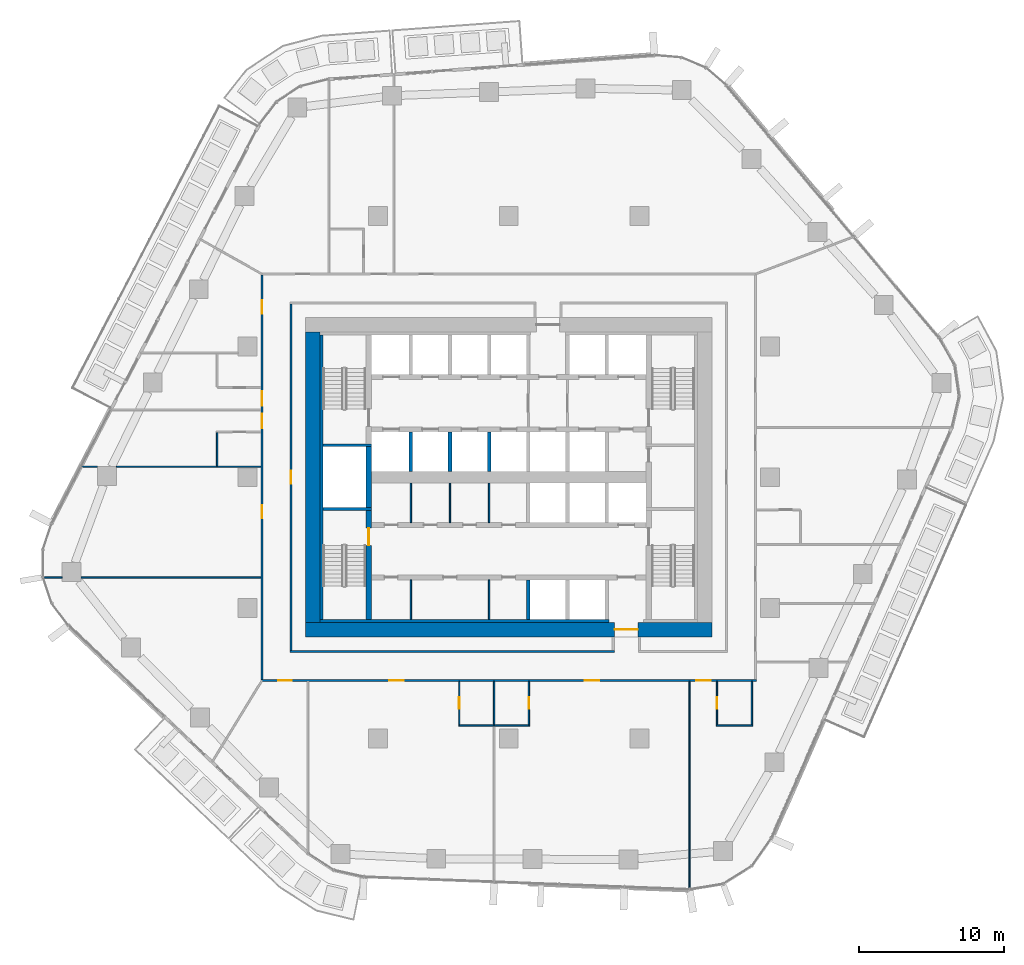
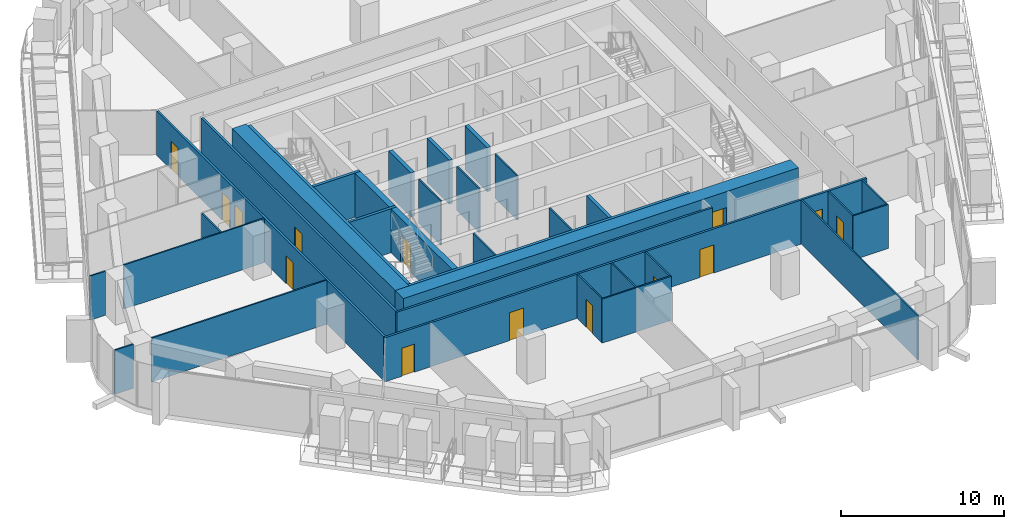
# One storey, part 12 of 23: 34 walls, 14 doors, 14 openings.
"""IFC4 building model written with IfcOpenShell, lengths in metres."""

from ifc_helpers import new_model, si_unit, direction, frame, frame_2d, origin, place, context, subcontext, project, spatial, rectangle, extrude, material, layer, layer_set, type_object, element, fill, save


model = new_model("IFC4")

# Units and contexts
model_context = context("Model", 3, precision=1e-05, world=origin(), true_north=direction((0.0, 1.0)))
body_context = subcontext(model_context, "Body", "Model", "MODEL_VIEW")
ifc_project = project(units=[si_unit("LENGTHUNIT", "METRE"), si_unit("AREAUNIT", "SQUARE_METRE"), si_unit("VOLUMEUNIT", "CUBIC_METRE"), si_unit("PLANEANGLEUNIT", "RADIAN"), si_unit("MASSUNIT", "GRAM", prefix="KILO")], contexts=[model_context])

# Site, building, storey
site_placement = place(None, origin())
site = spatial("IfcSite", under=ifc_project, at=site_placement, CompositionType="ELEMENT")
building_placement = place(site_placement, origin())
building = spatial("IfcBuilding", under=site, at=building_placement, Name="Dongbaek Canopy Tower", CompositionType="ELEMENT")
storey_placement = place(building_placement, frame((0.0, 0.0, 135.89990234375)))
storey = spatial("IfcBuildingStorey", under=building, at=storey_placement, Name="L30", CompositionType="ELEMENT", Elevation=135.89990234375)

# Wall, opening, door
ifc_material_1 = material(Name="Concrete C60/75", Category="concrete")
ifc_layer_1 = layer(ifc_material_1, 1.0)
ifc_layer_set_1 = layer_set([ifc_layer_1], Name="Core outer wall 1000 Concrete C60/75")
wall_type_1 = type_object("IfcWallType", Name="Core outer wall 1000 Concrete C60/75", PredefinedType="SHEAR", material=ifc_layer_set_1)
wall_1_placement = place(storey_placement, frame((14.0, -10.5, 0.0), z_axis=(0.0, 0.0, 1.0), x_axis=(-1.0, 0.0, 0.0)))
wall_1 = element("IfcWall", 1, at=wall_1_placement, inside=storey, type_object=wall_type_1, Name="Core wall", PredefinedType="SHEAR", context=body_context, shape_type="SweptSolid", body=[
    extrude(rectangle(XDim=28.0, YDim=1.0, at=frame_2d((14.0, 0.0))), origin(), (0.0, 0.0, 1.0), 3.300048828125),
])
opening_1_placement = place(wall_1_placement, frame((5.10009765625, 0.0, 0.0)))
opening_1 = element("IfcOpeningElement", 2, at=opening_1_placement, cuts=wall_1, Name="Opening L30-D042", PredefinedType="OPENING", context=body_context, shape_type="SweptSolid", body=[
    extrude(rectangle(XDim=1.60009765625, YDim=2.10009765625, at=frame_2d((0.800048828125, 1.050048828125))), frame((0.0, 0.510009765625, 0.0), z_axis=(0.0, -1.0, 0.0), x_axis=(1.0, 0.0, 0.0)), (0.0, 0.0, 1.0), 1.02001953125),
])
ifc_material_2 = material(Name="Steel", Category="steel")
door_type_1 = type_object("IfcDoorType", Name="Core exit door 1600 x 2100", OperationType="DOUBLE_DOOR_SINGLE_SWING", PredefinedType="DOOR", material=ifc_material_2)
door_1_placement = place(opening_1_placement, origin())
door_1 = element("IfcDoor", 3, at=door_1_placement, inside=storey, type_object=door_type_1, Name="Core exit door", OperationType="DOUBLE_DOOR_SINGLE_SWING", OverallHeight=2.10009765625, OverallWidth=1.60009765625, PredefinedType="DOOR", context=body_context, shape_type="SweptSolid", body=[
    extrude(rectangle(XDim=1.60009765625, YDim=2.10009765625, at=frame_2d((0.800048828125, 1.050048828125))), frame((0.0, 0.02490234375, 0.0), z_axis=(0.0, -1.0, 0.0), x_axis=(1.0, 0.0, 0.0)), (0.0, 0.0, 1.0), 0.050048828125),
])
fill(opening_1, door_1)

# Walls
wall_2_placement = place(storey_placement, frame((-13.5, -10.0, 0.0), z_axis=(0.0, 0.0, 1.0), x_axis=(0.0, 1.0, 0.0)))
element("IfcWall", 4, at=wall_2_placement, inside=storey, type_object=wall_type_1, Name="Core wall", PredefinedType="SHEAR", context=body_context, shape_type="SweptSolid", body=[
    extrude(rectangle(XDim=20.0, YDim=1.0, at=frame_2d((10.0, 0.0))), origin(), (0.0, 0.0, 1.0), 3.300048828125),
])
ifc_material_3 = material(Name="Concrete C60/75", Category="concrete")
ifc_layer_2 = layer(ifc_material_3, 0.199951171875)
ifc_layer_set_2 = layer_set([ifc_layer_2], Name="Core wall lining 200 Concrete C60/75")
wall_type_2 = type_object("IfcWallType", Name="Core wall lining 200 Concrete C60/75", PredefinedType="SHEAR", material=ifc_layer_set_2)
wall_3_placement = place(storey_placement, frame((6.89990234375, -9.89990234375, 0.0), z_axis=(0.0, 0.0, 1.0), x_axis=(-1.0, 0.0, 0.0)))
element("IfcWall", 5, at=wall_3_placement, inside=storey, type_object=wall_type_2, Name="Core wall lining", PredefinedType="SHEAR", context=body_context, shape_type="SweptSolid", body=[
    extrude(rectangle(XDim=19.89990234375, YDim=0.199951171875, at=frame_2d((9.949951171875, 0.0))), origin(), (0.0, 0.0, 1.0), 3.300048828125),
])
wall_4_placement = place(storey_placement, frame((-12.89990234375, -9.800048828125, 0.0), z_axis=(0.0, 0.0, 1.0), x_axis=(0.0, 1.0, 0.0)))
element("IfcWall", 6, at=wall_4_placement, inside=storey, type_object=wall_type_2, Name="Core wall lining", PredefinedType="SHEAR", context=body_context, shape_type="SweptSolid", body=[
    extrude(rectangle(XDim=19.60009765625, YDim=0.199951171875, at=frame_2d((9.800048828125, 0.0))), origin(), (0.0, 0.0, 1.0), 3.300048828125),
])

# Wall, openings, doors
ifc_material_4 = material(Name="Gypsum board partition, steel stud, 2 x 15 mm fire board", Category="steel")
ifc_layer_3 = layer(ifc_material_4, 0.14990234375)
ifc_layer_set_3 = layer_set([ifc_layer_3], Name="Fire-rated partition 150 gypsum board")
wall_type_3 = type_object("IfcWallType", Name="Fire-rated partition 150 gypsum board", PredefinedType="PARTITIONING", material=ifc_layer_set_3)
wall_5_placement = place(storey_placement, frame((17.074951171875, -14.0, 0.0), z_axis=(0.0, 0.0, 1.0), x_axis=(-1.0, 0.0, 0.0)))
wall_5 = element("IfcWall", 7, at=wall_5_placement, inside=storey, type_object=wall_type_3, Name="Corridor partition", PredefinedType="PARTITIONING", context=body_context, shape_type="SweptSolid", body=[
    extrude(rectangle(XDim=34.14990234375, YDim=0.14990234375, at=frame_2d((17.074951171875, 0.0))), origin(), (0.0, 0.0, 1.0), 3.300048828125),
])
opening_2_placement = place(wall_5_placement, frame((32.0458984375, 0.0, 0.0)))
opening_2 = element("IfcOpeningElement", 8, at=opening_2_placement, cuts=wall_5, Name="Opening L30-D002", PredefinedType="OPENING", context=body_context, shape_type="SweptSolid", body=[
    extrude(rectangle(XDim=0.89990234375, YDim=2.10009765625, at=frame_2d((0.449951171875, 1.050048828125))), frame((0.0, 0.0849609375, 0.0), z_axis=(0.0, -1.0, 0.0), x_axis=(1.0, 0.0, 0.0)), (0.0, 0.0, 1.0), 0.169921875),
])
opening_3_placement = place(wall_5_placement, frame((24.3203125, 0.0, 0.0)))
opening_3 = element("IfcOpeningElement", 9, at=opening_3_placement, cuts=wall_5, Name="Opening L30-D004", PredefinedType="OPENING", context=body_context, shape_type="SweptSolid", body=[
    extrude(rectangle(XDim=1.0, YDim=2.10009765625, at=frame_2d((0.5, 1.050048828125))), frame((0.0, 0.0849609375, 0.0), z_axis=(0.0, -1.0, 0.0), x_axis=(1.0, 0.0, 0.0)), (0.0, 0.0, 1.0), 0.169921875),
])
opening_4_placement = place(wall_5_placement, frame((10.847412109375, 0.0, 0.0)))
opening_4 = element("IfcOpeningElement", 10, at=opening_4_placement, cuts=wall_5, Name="Opening L30-D006", PredefinedType="OPENING", context=body_context, shape_type="SweptSolid", body=[
    extrude(rectangle(XDim=1.0, YDim=2.10009765625, at=frame_2d((0.5, 1.050048828125))), frame((0.0, 0.0849609375, 0.0), z_axis=(0.0, -1.0, 0.0), x_axis=(1.0, 0.0, 0.0)), (0.0, 0.0, 1.0), 0.169921875),
])
opening_5_placement = place(wall_5_placement, frame((3.171630859375, 0.0, 0.0)))
opening_5 = element("IfcOpeningElement", 11, at=opening_5_placement, cuts=wall_5, Name="Opening L30-D008", PredefinedType="OPENING", context=body_context, shape_type="SweptSolid", body=[
    extrude(rectangle(XDim=1.0, YDim=2.10009765625, at=frame_2d((0.5, 1.050048828125))), frame((0.0, 0.0849609375, 0.0), z_axis=(0.0, -1.0, 0.0), x_axis=(1.0, 0.0, 0.0)), (0.0, 0.0, 1.0), 0.169921875),
])
ifc_material_5 = material(Name="Timber veneered door leaf", Category="wood")
door_type_2 = type_object("IfcDoorType", Name="Guest room door 1000 x 2100", OperationType="SINGLE_SWING_LEFT", PredefinedType="DOOR", material=ifc_material_5)
door_2_placement = place(opening_3_placement, origin())
door_2 = element("IfcDoor", 12, at=door_2_placement, inside=storey, type_object=door_type_2, Name="Door L30-D004", OperationType="SINGLE_SWING_LEFT", OverallHeight=2.10009765625, OverallWidth=1.0, PredefinedType="DOOR", context=body_context, shape_type="SweptSolid", body=[
    extrude(rectangle(XDim=1.0, YDim=2.10009765625, at=frame_2d((0.5, 1.050048828125))), frame((0.0, 0.02490234375, 0.0), z_axis=(0.0, -1.0, 0.0), x_axis=(1.0, 0.0, 0.0)), (0.0, 0.0, 1.0), 0.050048828125),
])
fill(opening_3, door_2)
door_3_placement = place(opening_4_placement, origin())
door_3 = element("IfcDoor", 13, at=door_3_placement, inside=storey, type_object=door_type_2, Name="Door L30-D006", OperationType="SINGLE_SWING_RIGHT", OverallHeight=2.10009765625, OverallWidth=1.0, PredefinedType="DOOR", context=body_context, shape_type="SweptSolid", body=[
    extrude(rectangle(XDim=1.0, YDim=2.10009765625, at=frame_2d((0.5, 1.050048828125))), frame((0.0, 0.02490234375, 0.0), z_axis=(0.0, -1.0, 0.0), x_axis=(1.0, 0.0, 0.0)), (0.0, 0.0, 1.0), 0.050048828125),
])
fill(opening_4, door_3)
door_4_placement = place(opening_5_placement, origin())
door_4 = element("IfcDoor", 14, at=door_4_placement, inside=storey, type_object=door_type_2, Name="Door L30-D008", OperationType="SINGLE_SWING_LEFT", OverallHeight=2.10009765625, OverallWidth=1.0, PredefinedType="DOOR", context=body_context, shape_type="SweptSolid", body=[
    extrude(rectangle(XDim=1.0, YDim=2.10009765625, at=frame_2d((0.5, 1.050048828125))), frame((0.0, 0.02490234375, 0.0), z_axis=(0.0, -1.0, 0.0), x_axis=(1.0, 0.0, 0.0)), (0.0, 0.0, 1.0), 0.050048828125),
])
fill(opening_5, door_4)
ifc_material_6 = material(Name="Timber veneered door leaf", Category="wood")
door_type_3 = type_object("IfcDoorType", Name="Room door 900 x 2100", OperationType="SINGLE_SWING_LEFT", PredefinedType="DOOR", material=ifc_material_6)
door_5_placement = place(opening_2_placement, origin())
door_5 = element("IfcDoor", 15, at=door_5_placement, inside=storey, type_object=door_type_3, Name="Door L30-D002", OperationType="SINGLE_SWING_RIGHT", OverallHeight=2.10009765625, OverallWidth=0.89990234375, PredefinedType="DOOR", context=body_context, shape_type="SweptSolid", body=[
    extrude(rectangle(XDim=0.89990234375, YDim=2.10009765625, at=frame_2d((0.449951171875, 1.050048828125))), frame((0.0, 0.02490234375, 0.0), z_axis=(0.0, -1.0, 0.0), x_axis=(1.0, 0.0, 0.0)), (0.0, 0.0, 1.0), 0.050048828125),
])
fill(opening_2, door_5)

# Wall
wall_6_placement = place(storey_placement, frame((-15.074951171875, -12.0, 0.0), z_axis=(0.0, 0.0, 1.0), x_axis=(1.0, 0.0, 0.0)))
element("IfcWall", 16, at=wall_6_placement, inside=storey, type_object=wall_type_3, Name="Corridor partition", PredefinedType="PARTITIONING", context=body_context, shape_type="SweptSolid", body=[
    extrude(rectangle(XDim=22.349853515625, YDim=0.14990234375, at=frame_2d((11.1748046875, 0.0))), origin(), (0.0, 0.0, 1.0), 3.300048828125),
])

# Wall, opening, door
wall_7_placement = place(storey_placement, frame((-15.0, 11.925048828125, 0.0), z_axis=(0.0, 0.0, 1.0), x_axis=(0.0, -1.0, 0.0)))
wall_7 = element("IfcWall", 17, at=wall_7_placement, inside=storey, type_object=wall_type_3, Name="Corridor partition", PredefinedType="PARTITIONING", context=body_context, shape_type="SweptSolid", body=[
    extrude(rectangle(XDim=23.85009765625, YDim=0.14990234375, at=frame_2d((11.925048828125, 0.0))), origin(), (0.0, 0.0, 1.0), 3.300048828125),
])
opening_6_placement = place(wall_7_placement, frame((11.47509765625, 0.0, 0.0)))
opening_6 = element("IfcOpeningElement", 18, at=opening_6_placement, cuts=wall_7, Name="Opening L30-D023", PredefinedType="OPENING", context=body_context, shape_type="SweptSolid", body=[
    extrude(rectangle(XDim=0.89990234375, YDim=2.10009765625, at=frame_2d((0.449951171875, 1.050048828125))), frame((0.0, 0.0849609375, 0.0), z_axis=(0.0, -1.0, 0.0), x_axis=(1.0, 0.0, 0.0)), (0.0, 0.0, 1.0), 0.169921875),
])
door_6_placement = place(opening_6_placement, origin())
door_6 = element("IfcDoor", 19, at=door_6_placement, inside=storey, type_object=door_type_3, Name="Door L30-D023", OperationType="SINGLE_SWING_RIGHT", OverallHeight=2.10009765625, OverallWidth=0.89990234375, PredefinedType="DOOR", context=body_context, shape_type="SweptSolid", body=[
    extrude(rectangle(XDim=0.89990234375, YDim=2.10009765625, at=frame_2d((0.449951171875, 1.050048828125))), frame((0.0, 0.02490234375, 0.0), z_axis=(0.0, -1.0, 0.0), x_axis=(1.0, 0.0, 0.0)), (0.0, 0.0, 1.0), 0.050048828125),
])
fill(opening_6, door_6)

# Wall, openings, doors
wall_8_placement = place(storey_placement, frame((-17.0, -13.925048828125, 0.0), z_axis=(0.0, 0.0, 1.0), x_axis=(0.0, 1.0, 0.0)))
wall_8 = element("IfcWall", 20, at=wall_8_placement, inside=storey, type_object=wall_type_3, Name="Corridor partition", PredefinedType="PARTITIONING", context=body_context, shape_type="SweptSolid", body=[
    extrude(rectangle(XDim=27.85009765625, YDim=0.14990234375, at=frame_2d((13.925048828125, 0.0))), origin(), (0.0, 0.0, 1.0), 3.300048828125),
])
opening_7_placement = place(wall_8_placement, frame((11.10693359375, 0.0, 0.0)))
opening_7 = element("IfcOpeningElement", 21, at=opening_7_placement, cuts=wall_8, Name="Opening L30-D001", PredefinedType="OPENING", context=body_context, shape_type="SweptSolid", body=[
    extrude(rectangle(XDim=0.89990234375, YDim=2.10009765625, at=frame_2d((0.449951171875, 1.050048828125))), frame((0.0, 0.0849609375, 0.0), z_axis=(0.0, -1.0, 0.0), x_axis=(1.0, 0.0, 0.0)), (0.0, 0.0, 1.0), 0.169921875),
])
opening_8_placement = place(wall_8_placement, frame((25.2041015625, 0.0, 0.0)))
opening_8 = element("IfcOpeningElement", 22, at=opening_8_placement, cuts=wall_8, Name="Opening L30-D018", PredefinedType="OPENING", context=body_context, shape_type="SweptSolid", body=[
    extrude(rectangle(XDim=0.89990234375, YDim=2.10009765625, at=frame_2d((0.449951171875, 1.050048828125))), frame((0.0, 0.0849609375, 0.0), z_axis=(0.0, -1.0, 0.0), x_axis=(1.0, 0.0, 0.0)), (0.0, 0.0, 1.0), 0.169921875),
])
opening_9_placement = place(wall_8_placement, frame((18.833251953125, 0.0, 0.0)))
opening_9 = element("IfcOpeningElement", 23, at=opening_9_placement, cuts=wall_8, Name="Opening L30-D020", PredefinedType="OPENING", context=body_context, shape_type="SweptSolid", body=[
    extrude(rectangle(XDim=1.0, YDim=2.10009765625, at=frame_2d((0.5, 1.050048828125))), frame((0.0, 0.0849609375, 0.0), z_axis=(0.0, -1.0, 0.0), x_axis=(1.0, 0.0, 0.0)), (0.0, 0.0, 1.0), 0.169921875),
])
opening_10_placement = place(wall_8_placement, frame((17.31005859375, 0.0, 0.0)))
opening_10 = element("IfcOpeningElement", 24, at=opening_10_placement, cuts=wall_8, Name="Opening L30-D022", PredefinedType="OPENING", context=body_context, shape_type="SweptSolid", body=[
    extrude(rectangle(XDim=1.0, YDim=2.10009765625, at=frame_2d((0.5, 1.050048828125))), frame((0.0, 0.0849609375, 0.0), z_axis=(0.0, -1.0, 0.0), x_axis=(1.0, 0.0, 0.0)), (0.0, 0.0, 1.0), 0.169921875),
])
door_7_placement = place(opening_9_placement, origin())
door_7 = element("IfcDoor", 25, at=door_7_placement, inside=storey, type_object=door_type_2, Name="Door L30-D020", OperationType="SINGLE_SWING_RIGHT", OverallHeight=2.10009765625, OverallWidth=1.0, PredefinedType="DOOR", context=body_context, shape_type="SweptSolid", body=[
    extrude(rectangle(XDim=1.0, YDim=2.10009765625, at=frame_2d((0.5, 1.050048828125))), frame((0.0, 0.02490234375, 0.0), z_axis=(0.0, -1.0, 0.0), x_axis=(1.0, 0.0, 0.0)), (0.0, 0.0, 1.0), 0.050048828125),
])
fill(opening_9, door_7)
door_8_placement = place(opening_10_placement, origin())
door_8 = element("IfcDoor", 26, at=door_8_placement, inside=storey, type_object=door_type_2, Name="Door L30-D022", OperationType="SINGLE_SWING_LEFT", OverallHeight=2.10009765625, OverallWidth=1.0, PredefinedType="DOOR", context=body_context, shape_type="SweptSolid", body=[
    extrude(rectangle(XDim=1.0, YDim=2.10009765625, at=frame_2d((0.5, 1.050048828125))), frame((0.0, 0.02490234375, 0.0), z_axis=(0.0, -1.0, 0.0), x_axis=(1.0, 0.0, 0.0)), (0.0, 0.0, 1.0), 0.050048828125),
])
fill(opening_10, door_8)
door_9_placement = place(opening_7_placement, origin())
door_9 = element("IfcDoor", 27, at=door_9_placement, inside=storey, type_object=door_type_3, Name="Door L30-D001", OperationType="SINGLE_SWING_RIGHT", OverallHeight=2.10009765625, OverallWidth=0.89990234375, PredefinedType="DOOR", context=body_context, shape_type="SweptSolid", body=[
    extrude(rectangle(XDim=0.89990234375, YDim=2.10009765625, at=frame_2d((0.449951171875, 1.050048828125))), frame((0.0, 0.02490234375, 0.0), z_axis=(0.0, -1.0, 0.0), x_axis=(1.0, 0.0, 0.0)), (0.0, 0.0, 1.0), 0.050048828125),
])
fill(opening_7, door_9)
door_10_placement = place(opening_8_placement, origin())
door_10 = element("IfcDoor", 28, at=door_10_placement, inside=storey, type_object=door_type_3, Name="Door L30-D018", OperationType="SINGLE_SWING_LEFT", OverallHeight=2.10009765625, OverallWidth=0.89990234375, PredefinedType="DOOR", context=body_context, shape_type="SweptSolid", body=[
    extrude(rectangle(XDim=0.89990234375, YDim=2.10009765625, at=frame_2d((0.449951171875, 1.050048828125))), frame((0.0, 0.02490234375, 0.0), z_axis=(0.0, -1.0, 0.0), x_axis=(1.0, 0.0, 0.0)), (0.0, 0.0, 1.0), 0.050048828125),
])
fill(opening_8, door_10)

# Walls
ifc_material_7 = material(Name="Concrete C40/50", Category="concrete")
ifc_layer_4 = layer(ifc_material_7, 0.25)
ifc_layer_set_4 = layer_set([ifc_layer_4], Name="Lift shaft wall 250 Concrete C40/50")
wall_type_4 = type_object("IfcWallType", Name="Lift shaft wall 250 Concrete C40/50", PredefinedType="SOLIDWALL", material=ifc_layer_set_4)
for number, where, z_axis, x_axis, name in (
    (29, (1.35009765625, -9.800048828125, 0.0), (0.0, 0.0, 1.0), (0.0, 1.0, 0.0), "Lift shaft wall"),
    (30, (-1.35009765625, 0.39990234375, 0.0), (0.0, 0.0, 1.0), (0.0, 1.0, 0.0), "Lift shaft wall"),
    (31, (-4.050048828125, 0.39990234375, 0.0), (0.0, 0.0, 1.0), (0.0, 1.0, 0.0), "Lift shaft wall"),
    (32, (-6.75, 0.39990234375, 0.0), (0.0, 0.0, 1.0), (0.0, 1.0, 0.0), "Lift shaft wall"),
):
    element("IfcWall", number, at=place(storey_placement, frame(where, z_axis=z_axis, x_axis=x_axis)), inside=storey, type_object=wall_type_4, Name=name, PredefinedType="SOLIDWALL", context=body_context, shape_type="SweptSolid", body=[
        extrude(rectangle(XDim=2.72509765625, YDim=0.25, at=frame_2d((1.362548828125, 0.0))), origin(), (0.0, 0.0, 1.0), 3.300048828125),
    ])
ifc_material_8 = material(Name="Gypsum board partition, steel stud, 2 x 12.5 mm board", Category="steel")
ifc_layer_5 = layer(ifc_material_8, 0.10009765625)
ifc_layer_set_5 = layer_set([ifc_layer_5], Name="Partition 100 gypsum board")
wall_type_5 = type_object("IfcWallType", Name="Partition 100 gypsum board", PredefinedType="PARTITIONING", material=ifc_layer_set_5)
wall_9_placement = place(storey_placement, frame((-3.4609375, -17.10009765625, 0.0), z_axis=(0.0, 0.0, 1.0), x_axis=(1.0, 0.0, 0.0)))
element("IfcWall", 33, at=wall_9_placement, inside=storey, type_object=wall_type_5, Name="Partition", PredefinedType="PARTITIONING", context=body_context, shape_type="SweptSolid", body=[
    extrude(rectangle(XDim=4.89990234375, YDim=0.10009765625, at=frame_2d((2.449951171875, 0.0))), origin(), (0.0, 0.0, 1.0), 3.300048828125),
])
wall_10_placement = place(storey_placement, frame((14.30029296875, -17.10009765625, 0.0), z_axis=(0.0, 0.0, 1.0), x_axis=(1.0, 0.0, 0.0)))
element("IfcWall", 34, at=wall_10_placement, inside=storey, type_object=wall_type_5, Name="Partition", PredefinedType="PARTITIONING", context=body_context, shape_type="SweptSolid", body=[
    extrude(rectangle(XDim=2.5, YDim=0.10009765625, at=frame_2d((1.25, 0.0))), origin(), (0.0, 0.0, 1.0), 3.300048828125),
])
wall_11_placement = place(storey_placement, frame((-32.076171875, -6.89599609375, 0.0), z_axis=(0.0, 0.0, 1.0), x_axis=(1.0, 0.0, 0.0)))
element("IfcWall", 35, at=wall_11_placement, inside=storey, type_object=wall_type_5, Name="Partition", PredefinedType="PARTITIONING", context=body_context, shape_type="SweptSolid", body=[
    extrude(rectangle(XDim=1.30126953125, YDim=0.10009765625, at=frame_2d((0.650634765625, 0.0))), origin(), (0.0, 0.0, 1.0), 3.300048828125),
])
wall_12_placement = place(storey_placement, frame((-29.47509765625, -6.89599609375, 0.0), z_axis=(0.0, 0.0, 1.0), x_axis=(1.0, 0.0, 0.0)))
element("IfcWall", 36, at=wall_12_placement, inside=storey, type_object=wall_type_5, Name="Partition", PredefinedType="PARTITIONING", context=body_context, shape_type="SweptSolid", body=[
    extrude(rectangle(XDim=12.400146484375, YDim=0.10009765625, at=frame_2d((6.2001953125, 0.0))), origin(), (0.0, 0.0, 1.0), 3.300048828125),
])
wall_13_placement = place(storey_placement, frame((-29.445556640625, 0.722900390625, 0.0), z_axis=(0.0, 0.0, 1.0), x_axis=(1.0, 0.0, 0.0)))
element("IfcWall", 37, at=wall_13_placement, inside=storey, type_object=wall_type_5, Name="Partition", PredefinedType="PARTITIONING", context=body_context, shape_type="SweptSolid", body=[
    extrude(rectangle(XDim=1.1025390625, YDim=0.10009765625, at=frame_2d((0.55126953125, 0.0))), origin(), (0.0, 0.0, 1.0), 3.300048828125),
])
wall_14_placement = place(storey_placement, frame((-27.04296875, 0.722900390625, 0.0), z_axis=(0.0, 0.0, 1.0), x_axis=(1.0, 0.0, 0.0)))
element("IfcWall", 38, at=wall_14_placement, inside=storey, type_object=wall_type_5, Name="Partition", PredefinedType="PARTITIONING", context=body_context, shape_type="SweptSolid", body=[
    extrude(rectangle(XDim=9.968017578125, YDim=0.10009765625, at=frame_2d((4.98388671875, 0.0))), origin(), (0.0, 0.0, 1.0), 3.300048828125),
])
wall_15_placement = place(storey_placement, frame((16.75, -17.050048828125, 0.0), z_axis=(0.0, 0.0, 1.0), x_axis=(0.0, 1.0, 0.0)))
element("IfcWall", 39, at=wall_15_placement, inside=storey, type_object=wall_type_5, Name="Partition", PredefinedType="PARTITIONING", context=body_context, shape_type="SweptSolid", body=[
    extrude(rectangle(XDim=2.97509765625, YDim=0.10009765625, at=frame_2d((1.487548828125, 0.0))), origin(), (0.0, 0.0, 1.0), 3.300048828125),
])

# Wall, opening, door
wall_16_placement = place(storey_placement, frame((14.35009765625, -14.074951171875, 0.0), z_axis=(0.0, 0.0, 1.0), x_axis=(0.0, -1.0, 0.0)))
wall_16 = element("IfcWall", 40, at=wall_16_placement, inside=storey, type_object=wall_type_5, Name="Partition", PredefinedType="PARTITIONING", context=body_context, shape_type="SweptSolid", body=[
    extrude(rectangle(XDim=3.025146484375, YDim=0.10009765625, at=frame_2d((1.5126953125, 0.0))), origin(), (0.0, 0.0, 1.0), 3.300048828125),
])
opening_11_placement = place(wall_16_placement, frame((1.074951171875, 0.0, 0.0)))
opening_11 = element("IfcOpeningElement", 41, at=opening_11_placement, cuts=wall_16, Name="Opening L30-D007", PredefinedType="OPENING", context=body_context, shape_type="SweptSolid", body=[
    extrude(rectangle(XDim=0.800048828125, YDim=2.10009765625, at=frame_2d((0.39990234375, 1.050048828125))), frame((0.0, 0.06005859375, 0.0), z_axis=(0.0, -1.0, 0.0), x_axis=(1.0, 0.0, 0.0)), (0.0, 0.0, 1.0), 0.1201171875),
])
ifc_material_9 = material(Name="Timber veneered door leaf", Category="wood")
door_type_4 = type_object("IfcDoorType", Name="En-suite door 800 x 2100", OperationType="SINGLE_SWING_LEFT", PredefinedType="DOOR", material=ifc_material_9)
door_11_placement = place(opening_11_placement, origin())
door_11 = element("IfcDoor", 42, at=door_11_placement, inside=storey, type_object=door_type_4, Name="Door L30-D007", OperationType="SINGLE_SWING_RIGHT", OverallHeight=2.10009765625, OverallWidth=0.800048828125, PredefinedType="DOOR", context=body_context, shape_type="SweptSolid", body=[
    extrude(rectangle(XDim=0.800048828125, YDim=2.10009765625, at=frame_2d((0.39990234375, 1.050048828125))), frame((0.0, 0.02490234375, 0.0), z_axis=(0.0, -1.0, 0.0), x_axis=(1.0, 0.0, 0.0)), (0.0, 0.0, 1.0), 0.050048828125),
])
fill(opening_11, door_11)

# Wall
wall_17_placement = place(storey_placement, frame((12.4560546875, -28.377685546875, 0.0), z_axis=(0.0, 0.0, 1.0), x_axis=(0.0, 1.0, 0.0)))
element("IfcWall", 43, at=wall_17_placement, inside=storey, type_object=wall_type_5, Name="Partition", PredefinedType="PARTITIONING", context=body_context, shape_type="SweptSolid", body=[
    extrude(rectangle(XDim=14.302734375, YDim=0.10009765625, at=frame_2d((7.1513671875, 0.0))), origin(), (0.0, 0.0, 1.0), 3.300048828125),
])

# Wall, opening, door
wall_18_placement = place(storey_placement, frame((1.388916015625, -17.050048828125, 0.0), z_axis=(0.0, 0.0, 1.0), x_axis=(0.0, 1.0, 0.0)))
wall_18 = element("IfcWall", 44, at=wall_18_placement, inside=storey, type_object=wall_type_5, Name="Partition", PredefinedType="PARTITIONING", context=body_context, shape_type="SweptSolid", body=[
    extrude(rectangle(XDim=2.97509765625, YDim=0.10009765625, at=frame_2d((1.487548828125, 0.0))), origin(), (0.0, 0.0, 1.0), 3.300048828125),
])
opening_12_placement = place(wall_18_placement, frame((1.10009765625, 0.0, 0.0)))
opening_12 = element("IfcOpeningElement", 45, at=opening_12_placement, cuts=wall_18, Name="Opening L30-D005", PredefinedType="OPENING", context=body_context, shape_type="SweptSolid", body=[
    extrude(rectangle(XDim=0.800048828125, YDim=2.10009765625, at=frame_2d((0.39990234375, 1.050048828125))), frame((0.0, 0.06005859375, 0.0), z_axis=(0.0, -1.0, 0.0), x_axis=(1.0, 0.0, 0.0)), (0.0, 0.0, 1.0), 0.1201171875),
])
door_12_placement = place(opening_12_placement, origin())
door_12 = element("IfcDoor", 46, at=door_12_placement, inside=storey, type_object=door_type_4, Name="Door L30-D005", OperationType="SINGLE_SWING_LEFT", OverallHeight=2.10009765625, OverallWidth=0.800048828125, PredefinedType="DOOR", context=body_context, shape_type="SweptSolid", body=[
    extrude(rectangle(XDim=0.800048828125, YDim=2.10009765625, at=frame_2d((0.39990234375, 1.050048828125))), frame((0.0, 0.02490234375, 0.0), z_axis=(0.0, -1.0, 0.0), x_axis=(1.0, 0.0, 0.0)), (0.0, 0.0, 1.0), 0.050048828125),
])
fill(opening_12, door_12)

# Wall
wall_19_placement = place(storey_placement, frame((-1.010986328125, -17.050048828125, 0.0), z_axis=(0.0, 0.0, 1.0), x_axis=(0.0, 1.0, 0.0)))
element("IfcWall", 47, at=wall_19_placement, inside=storey, type_object=wall_type_5, Name="Partition", PredefinedType="PARTITIONING", context=body_context, shape_type="SweptSolid", body=[
    extrude(rectangle(XDim=2.97509765625, YDim=0.10009765625, at=frame_2d((1.487548828125, 0.0))), origin(), (0.0, 0.0, 1.0), 3.300048828125),
])

# Wall, opening, door
wall_20_placement = place(storey_placement, frame((-3.410888671875, -14.074951171875, 0.0), z_axis=(0.0, 0.0, 1.0), x_axis=(0.0, -1.0, 0.0)))
wall_20 = element("IfcWall", 48, at=wall_20_placement, inside=storey, type_object=wall_type_5, Name="Partition", PredefinedType="PARTITIONING", context=body_context, shape_type="SweptSolid", body=[
    extrude(rectangle(XDim=2.97509765625, YDim=0.10009765625, at=frame_2d((1.487548828125, 0.0))), origin(), (0.0, 0.0, 1.0), 3.300048828125),
])
opening_13_placement = place(wall_20_placement, frame((1.074951171875, 0.0, 0.0)))
opening_13 = element("IfcOpeningElement", 49, at=opening_13_placement, cuts=wall_20, Name="Opening L30-D003", PredefinedType="OPENING", context=body_context, shape_type="SweptSolid", body=[
    extrude(rectangle(XDim=0.800048828125, YDim=2.10009765625, at=frame_2d((0.39990234375, 1.050048828125))), frame((0.0, 0.06005859375, 0.0), z_axis=(0.0, -1.0, 0.0), x_axis=(1.0, 0.0, 0.0)), (0.0, 0.0, 1.0), 0.1201171875),
])
door_13_placement = place(opening_13_placement, origin())
door_13 = element("IfcDoor", 50, at=door_13_placement, inside=storey, type_object=door_type_4, Name="Door L30-D003", OperationType="SINGLE_SWING_RIGHT", OverallHeight=2.10009765625, OverallWidth=0.800048828125, PredefinedType="DOOR", context=body_context, shape_type="SweptSolid", body=[
    extrude(rectangle(XDim=0.800048828125, YDim=2.10009765625, at=frame_2d((0.39990234375, 1.050048828125))), frame((0.0, 0.02490234375, 0.0), z_axis=(0.0, -1.0, 0.0), x_axis=(1.0, 0.0, 0.0)), (0.0, 0.0, 1.0), 0.050048828125),
])
fill(opening_13, door_13)

# Walls
wall_21_placement = place(storey_placement, frame((-20.10009765625, 0.77294921875, 0.0), z_axis=(0.0, 0.0, 1.0), x_axis=(0.0, 1.0, 0.0)))
element("IfcWall", 51, at=wall_21_placement, inside=storey, type_object=wall_type_5, Name="Partition", PredefinedType="PARTITIONING", context=body_context, shape_type="SweptSolid", body=[
    extrude(rectangle(XDim=2.300048828125, YDim=0.10009765625, at=frame_2d((1.14990234375, 0.0))), origin(), (0.0, 0.0, 1.0), 3.300048828125),
])
for number, where, z_axis, x_axis, name in (
    (52, (-1.35009765625, -9.800048828125, 0.0), (0.0, 0.0, 1.0), (0.0, 1.0, 0.0), "Core partition"),
    (53, (-1.35009765625, -3.125, 0.0), (0.0, 0.0, 1.0), (0.0, 1.0, 0.0), "Core partition"),
    (54, (-4.050048828125, -3.125, 0.0), (0.0, 0.0, 1.0), (0.0, 1.0, 0.0), "Core partition"),
    (55, (-6.75, -9.800048828125, 0.0), (0.0, 0.0, 1.0), (0.0, 1.0, 0.0), "Core partition"),
    (56, (-6.75, -3.125, 0.0), (0.0, 0.0, 1.0), (0.0, 1.0, 0.0), "Core partition"),
):
    element("IfcWall", number, at=place(storey_placement, frame(where, z_axis=z_axis, x_axis=x_axis)), inside=storey, type_object=wall_type_5, Name=name, PredefinedType="PARTITIONING", context=body_context, shape_type="SweptSolid", body=[
        extrude(rectangle(XDim=2.72509765625, YDim=0.10009765625, at=frame_2d((1.362548828125, 0.0))), origin(), (0.0, 0.0, 1.0), 3.300048828125),
    ])
ifc_material_10 = material(Name="Concrete C60/75", Category="concrete")
ifc_layer_6 = layer(ifc_material_10, 0.199951171875)
ifc_layer_set_6 = layer_set([ifc_layer_6], Name="Riser wall 200 Concrete C60/75")
wall_type_6 = type_object("IfcWallType", Name="Riser wall 200 Concrete C60/75", PredefinedType="SHEAR", material=ifc_layer_set_6)
for number, where, z_axis, x_axis, name in (
    (57, (-9.449951171875, 2.199951171875, 0.0), (0.0, 0.0, 1.0), (-1.0, 0.0, 0.0), "Riser wall"),
    (58, (-9.449951171875, -2.199951171875, 0.0), (0.0, 0.0, 1.0), (-1.0, 0.0, 0.0), "Riser wall"),
):
    element("IfcWall", number, at=place(storey_placement, frame(where, z_axis=z_axis, x_axis=x_axis)), inside=storey, type_object=wall_type_6, Name=name, PredefinedType="SHEAR", context=body_context, shape_type="SweptSolid", body=[
        extrude(rectangle(XDim=3.35009765625, YDim=0.199951171875, at=frame_2d((1.675048828125, 0.0))), origin(), (0.0, 0.0, 1.0), 3.300048828125),
    ])

# Wall, opening, door
ifc_material_11 = material(Name="Concrete C60/75", Category="concrete")
ifc_layer_7 = layer(ifc_material_11, 0.39990234375)
ifc_layer_set_7 = layer_set([ifc_layer_7], Name="Stair wall 400 Concrete C60/75")
wall_type_7 = type_object("IfcWallType", Name="Stair wall 400 Concrete C60/75", PredefinedType="SHEAR", material=ifc_layer_set_7)
wall_22_placement = place(storey_placement, frame((-9.64990234375, -9.800048828125, 0.0), z_axis=(0.0, 0.0, 1.0), x_axis=(0.0, 1.0, 0.0)))
wall_22 = element("IfcWall", 59, at=wall_22_placement, inside=storey, type_object=wall_type_7, Name="Stair wall", PredefinedType="SHEAR", context=body_context, shape_type="SweptSolid", body=[
    extrude(rectangle(XDim=7.5, YDim=0.39990234375, at=frame_2d((3.75, 0.0))), origin(), (0.0, 0.0, 1.0), 3.300048828125),
])
opening_14_placement = place(wall_22_placement, frame((5.10009765625, 0.0, 0.0)))
opening_14 = element("IfcOpeningElement", 60, at=opening_14_placement, cuts=wall_22, Name="Opening L30-D054", PredefinedType="OPENING", context=body_context, shape_type="SweptSolid", body=[
    extrude(rectangle(XDim=1.199951171875, YDim=2.10009765625, at=frame_2d((0.60009765625, 1.050048828125))), frame((0.0, 0.2099609375, 0.0), z_axis=(0.0, -1.0, 0.0), x_axis=(1.0, 0.0, 0.0)), (0.0, 0.0, 1.0), 0.419921875),
])
ifc_material_12 = material(Name="Steel", Category="steel")
door_type_5 = type_object("IfcDoorType", Name="Stair door 1200 x 2100", OperationType="SINGLE_SWING_LEFT", PredefinedType="DOOR", material=ifc_material_12)
door_14_placement = place(opening_14_placement, origin())
door_14 = element("IfcDoor", 61, at=door_14_placement, inside=storey, type_object=door_type_5, Name="Stair D door", OperationType="SINGLE_SWING_LEFT", OverallHeight=2.10009765625, OverallWidth=1.199951171875, PredefinedType="DOOR", context=body_context, shape_type="SweptSolid", body=[
    extrude(rectangle(XDim=1.199951171875, YDim=2.10009765625, at=frame_2d((0.60009765625, 1.050048828125))), frame((0.0, 0.02490234375, 0.0), z_axis=(0.0, -1.0, 0.0), x_axis=(1.0, 0.0, 0.0)), (0.0, 0.0, 1.0), 0.050048828125),
])
fill(opening_14, door_14)

# Wall
wall_23_placement = place(storey_placement, frame((-9.64990234375, -2.10009765625, 0.0), z_axis=(0.0, 0.0, 1.0), x_axis=(0.0, 1.0, 0.0)))
element("IfcWall", 62, at=wall_23_placement, inside=storey, type_object=wall_type_7, Name="Stair wall", PredefinedType="SHEAR", context=body_context, shape_type="SweptSolid", body=[
    extrude(rectangle(XDim=4.2001953125, YDim=0.39990234375, at=frame_2d((2.10009765625, 0.0))), origin(), (0.0, 0.0, 1.0), 3.300048828125),
])

save(model, "model.ifc")
